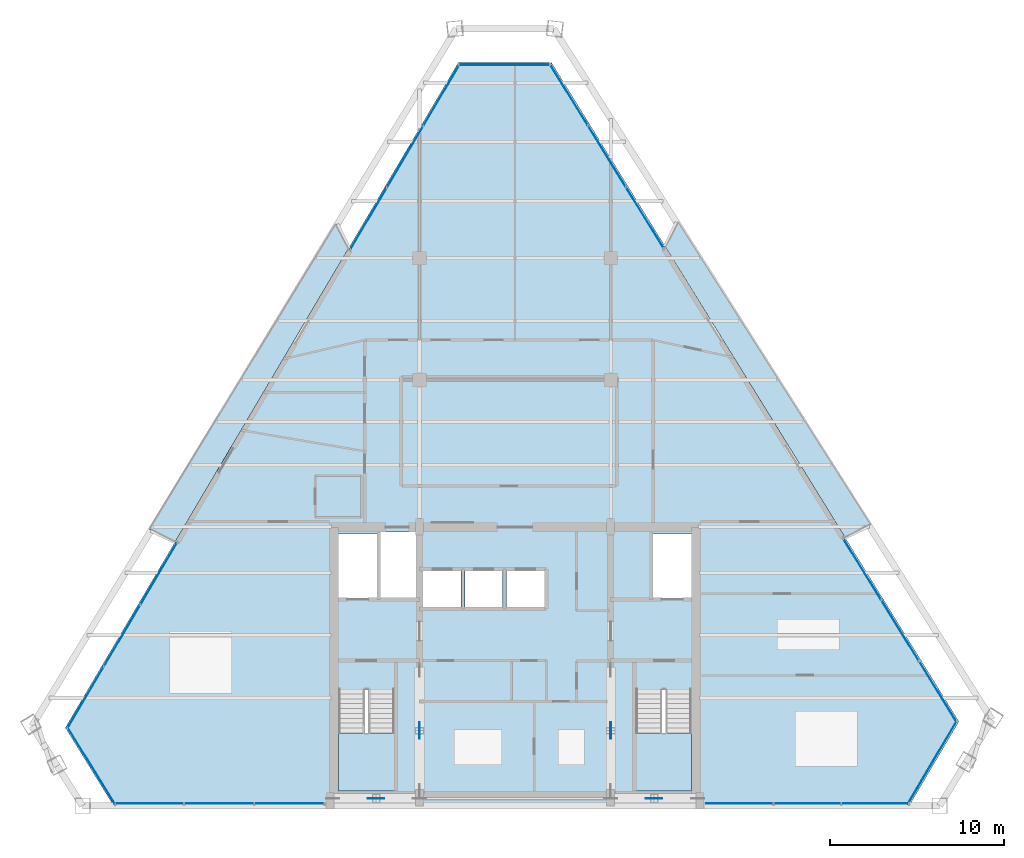
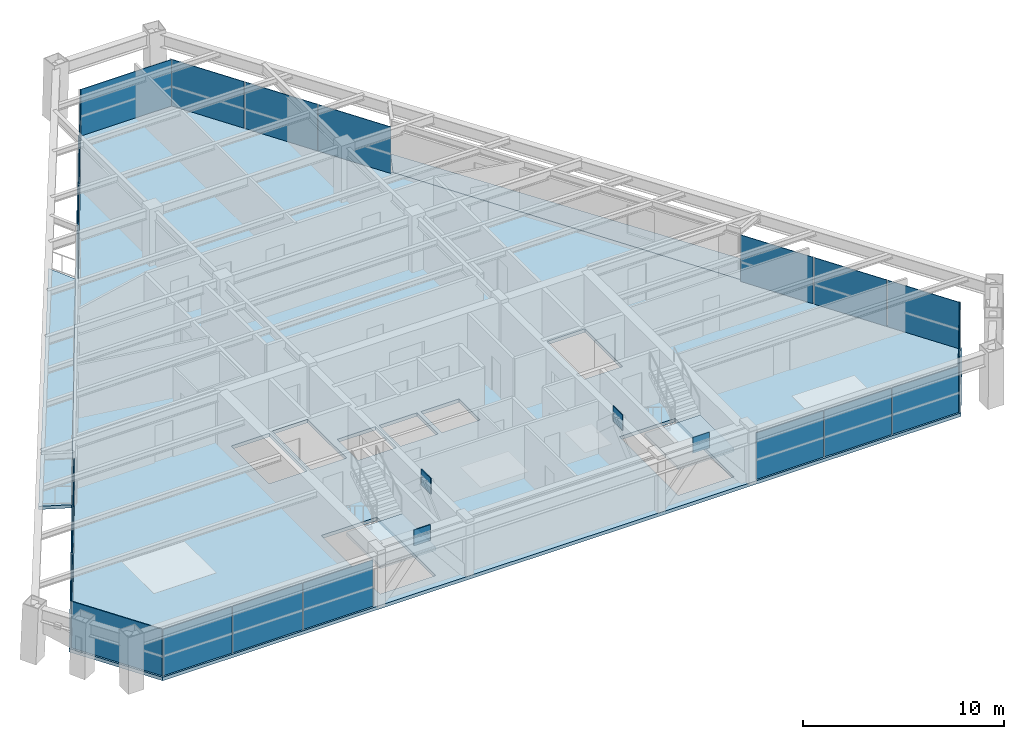
# One storey, part 8 of 13: 25 plates, 5 slabs, 11 elements without a shape of their own.
"""IFC4 building model written with IfcOpenShell, lengths in metres."""

from ifc_helpers import new_model, si_unit, direction, frame, origin, origin_2d, place, context, subcontext, project, spatial, polyline, rectangle, outline, extrude, source, transform, mapped, material, layer, layer_set, type_object, element, aggregate, save


model = new_model("IFC4")

# Units and contexts
model_context = context("Model", 3, precision=1e-05, world=origin(), true_north=direction((0.0, 1.0)))
body_context = subcontext(model_context, "Body", "Model", "MODEL_VIEW")
ifc_project = project(units=[si_unit("LENGTHUNIT", "METRE"), si_unit("AREAUNIT", "SQUARE_METRE"), si_unit("VOLUMEUNIT", "CUBIC_METRE"), si_unit("PLANEANGLEUNIT", "RADIAN"), si_unit("MASSUNIT", "GRAM", prefix="KILO")], contexts=[model_context])

# Site, building, storey
site_placement = place(None, origin())
site = spatial("IfcSite", under=ifc_project, at=site_placement, CompositionType="ELEMENT")
building_placement = place(site_placement, origin())
building = spatial("IfcBuilding", under=site, at=building_placement, Name="Varnakhor Terracotta Tower", CompositionType="ELEMENT")
storey_placement = place(building_placement, frame((0.0, 0.0, 237.25)))
storey = spatial("IfcBuildingStorey", under=building, at=storey_placement, Name="L61", CompositionType="ELEMENT", Elevation=237.25)

# Slab
ifc_material_1 = material(Name="Concrete C40/50", Category="concrete")
ifc_layer_1 = layer(ifc_material_1, 0.2099609375, Name="Concrete C40/50")
ifc_layer_set_1 = layer_set([ifc_layer_1], Name="Concrete C40/50")
slab_type_1 = type_object("IfcSlabType", Name="SLB-HTL-210", PredefinedType="FLOOR", material=ifc_layer_set_1)
slab_1_placement = place(storey_placement, frame((0.0, 0.0, -0.2099609375)))
element("IfcSlab", 1, at=slab_1_placement, inside=storey, type_object=slab_type_1, Name="L61 Structural Floor Slab", PredefinedType="FLOOR", context=body_context, shape_type="SweptSolid", body=[
    extrude(outline(polyline([(-25.882080078125, 4.4931640625), (-3.269775390625, 42.76318359375), (2.099609375, 42.76318359375), (25.543212890625, 4.8427734375), (22.681640625, 0.0), (-23.1044921875, 0.0), (-25.882080078125, 4.4931640625)]), holes=[polyline([(-6.949951171875, 0.85009765625), (-6.949951171875, 6.695068359375), (-10.14990234375, 6.695068359375), (-10.14990234375, 0.85009765625), (-6.949951171875, 0.85009765625)]), polyline([(10.14990234375, 0.85009765625), (10.14990234375, 6.695068359375), (6.949951171875, 6.695068359375), (6.949951171875, 0.85009765625), (10.14990234375, 0.85009765625)]), polyline([(-3.10009765625, 11.419921875), (-3.10009765625, 13.52001953125), (-5.300048828125, 13.52001953125), (-5.300048828125, 11.419921875), (-3.10009765625, 11.419921875)]), polyline([(-0.719970703125, 11.419921875), (-0.719970703125, 13.52001953125), (-2.8798828125, 13.52001953125), (-2.8798828125, 11.419921875), (-0.719970703125, 11.419921875)]), polyline([(1.699951171875, 11.419921875), (1.699951171875, 13.52001953125), (-0.5, 13.52001953125), (-0.5, 11.419921875), (1.699951171875, 11.419921875)]), polyline([(-7.949951171875, 11.8798828125), (-7.949951171875, 15.64990234375), (-10.14990234375, 15.64990234375), (-10.14990234375, 11.8798828125), (-7.949951171875, 11.8798828125)]), polyline([(10.14990234375, 11.8798828125), (10.14990234375, 15.64990234375), (7.949951171875, 15.64990234375), (7.949951171875, 11.8798828125), (10.14990234375, 11.8798828125)]), polyline([(-5.699951171875, 11.8798828125), (-5.699951171875, 15.75), (-7.72998046875, 15.75), (-7.72998046875, 11.8798828125), (-5.699951171875, 11.8798828125)])]), origin(), (0.0, 0.0, 1.0), 0.2099609375),
])

# Stair, slab
stair_type = type_object("IfcStairType", Name="STR-CORE-HOTEL-1500", PredefinedType="HALF_TURN_STAIR", material=ifc_material_1)
stair_1_placement = place(storey_placement, origin())
stair_1 = element("IfcStair", 2, at=stair_1_placement, inside=storey, type_object=stair_type, Name="L61 Core Exit Stair ST-1", PredefinedType="HALF_TURN_STAIR")
ifc_layer_2 = layer(ifc_material_1, 0.179931640625, Name="Concrete C40/50")
ifc_layer_set_2 = layer_set([ifc_layer_2], Name="Concrete C40/50")
slab_type_2 = type_object("IfcSlabType", Name="SLB-LANDING-180", PredefinedType="LANDING", material=ifc_layer_set_2)
slab_2_placement = place(storey_placement, frame((0.0, 0.0, 1.52490234375)))
slab_2 = element("IfcSlab", 3, at=slab_2_placement, type_object=slab_type_2, Name="ST-1 landing 1", PredefinedType="LANDING", context=body_context, shape_type="SweptSolid", body=[
    extrude(outline(polyline([(-10.14990234375, 4.18994140625), (-10.14990234375, 0.85009765625), (-6.949951171875, 0.85009765625), (-6.949951171875, 4.18994140625), (-10.14990234375, 4.18994140625)])), origin(), (0.0, 0.0, 1.0), 0.2001953125),
])
aggregate(stair_1, [slab_2])

stair_2_placement = place(storey_placement, origin())
stair_2 = element("IfcStair", 4, at=stair_2_placement, inside=storey, type_object=stair_type, Name="L61 Core Exit Stair ST-2", PredefinedType="HALF_TURN_STAIR")
slab_3_placement = place(storey_placement, frame((0.0, 0.0, 1.52490234375)))
slab_3 = element("IfcSlab", 5, at=slab_3_placement, type_object=slab_type_2, Name="ST-2 landing 1", PredefinedType="LANDING", context=body_context, shape_type="SweptSolid", body=[
    extrude(outline(polyline([(6.949951171875, 4.18994140625), (6.949951171875, 0.85009765625), (10.14990234375, 0.85009765625), (10.14990234375, 4.18994140625), (6.949951171875, 4.18994140625)])), origin(), (0.0, 0.0, 1.0), 0.2001953125),
])
aggregate(stair_2, [slab_3])

# Slabs
ifc_layer_3 = layer(ifc_material_1, 0.195068359375, Name="Concrete C40/50")
ifc_layer_set_3 = layer_set([ifc_layer_3], Name="Concrete C40/50")
slab_type_3 = type_object("IfcSlabType", Name="SLB-LOGGIA-EXT-195", PredefinedType="FLOOR", material=ifc_layer_set_3)
slab_4_placement = place(storey_placement, frame((0.0, 0.0, -0.195068359375)))
element("IfcSlab", 6, at=slab_4_placement, inside=storey, type_object=slab_type_3, Name="L61 E Recessed Outdoor Loggia Slab", PredefinedType="FLOOR", context=body_context, shape_type="SweptSolid", body=[
    extrude(outline(polyline([(9.365478515625, 33.609619140625), (20.458251953125, 16.16455078125), (18.97900390625, 15.46044921875), (8.663818359375, 32.1455078125), (9.365478515625, 33.609619140625)])), origin(), (0.0, 0.0, 1.0), 0.195068359375),
])
slab_5_placement = place(storey_placement, frame((0.0, 0.0, -0.195068359375)))
element("IfcSlab", 7, at=slab_5_placement, inside=storey, type_object=slab_type_3, Name="L61 W Recessed Outdoor Loggia Slab", PredefinedType="FLOOR", context=body_context, shape_type="SweptSolid", body=[
    extrude(outline(polyline([(-21.0419921875, 15.9013671875), (-10.3076171875, 33.507080078125), (-9.601318359375, 32.047607421875), (-15.89501953125, 21.3955078125), (-19.55078125, 15.208740234375), (-21.0419921875, 15.9013671875)])), origin(), (0.0, 0.0, 1.0), 0.195068359375),
])

# Plates
ifc_material_2 = material(Name="Steel S460", Category="steel")
ifc_layer_4 = layer(ifc_material_2, 0.050048828125, Name="Steel S460")
ifc_layer_set_4 = layer_set([ifc_layer_4], Name="Steel S460")
plate_type_1 = type_object("IfcPlateType", Name="PLT-GUSSET-50", PredefinedType="USERDEFINED", material=ifc_layer_set_4)
shared_shape_1 = source(origin(), body_context, "Body", "SweptSolid", [
    extrude(rectangle(XDim=0.949951171875, YDim=0.044921875, at=origin_2d()), origin(), (0.0, 0.0, 1.0), 0.949951171875),
])
for number, where, z_axis, x_axis, name in (
    (8, (-8.0, 0.419921875, 2.615234375), (0.0, 0.0, 1.0), (1.0, 0.0, 0.0), "L61 Core Brace Apex Gusset CSW"),
    (9, (8.0, 0.419921875, 2.615234375), (0.0, 0.0, 1.0), (1.0, 0.0, 0.0), "L61 Core Brace Apex Gusset CSE"),
    (10, (-5.5, 4.324951171875, 2.615234375), (0.0, 0.0, 1.0), (0.0, 1.0, 0.0), "L61 Core Brace Apex Gusset CWW"),
    (11, (5.5, 4.324951171875, 2.615234375), (0.0, 0.0, 1.0), (0.0, 1.0, 0.0), "L61 Core Brace Apex Gusset CWE"),
):
    element("IfcPlate", number, at=place(storey_placement, frame(where, z_axis=z_axis, x_axis=x_axis)), inside=storey, type_object=plate_type_1, Name=name, ObjectType="GUSSET PLATE", PredefinedType="USERDEFINED", context=body_context, shape_type="MappedRepresentation", body=[
        mapped(shared_shape_1, transform((0.0, 0.0, 0.0), scale=1.0)),
    ])

# Curtain wall, plate
ifc_material_3 = material(Name="Anodised Aluminium Curtain Wall System", Category="aluminium")
curtain_wall_type = type_object("IfcCurtainWallType", Name="CW-SYS-HOTEL-LOGGIA", PredefinedType="NOTDEFINED", material=ifc_material_3)
curtain_wall_1_placement = place(storey_placement, origin())
curtain_wall_1 = element("IfcCurtainWall", 12, at=curtain_wall_1_placement, inside=storey, type_object=curtain_wall_type, Name="L61 W Facet Curtain Wall 1", PredefinedType="NOTDEFINED")
ifc_material_4 = material(Name="Solar-Control Low-E Insulated Glass Panel", Category="glass")
ifc_layer_5 = layer(ifc_material_4, 0.033935546875, Name="Solar-Control Low-E Insulated Glass Panel")
ifc_layer_set_5 = layer_set([ifc_layer_5], Name="Solar-Control Low-E Insulated Glass Panel")
plate_type_2 = type_object("IfcPlateType", Name="CWP-04", PredefinedType="CURTAIN_PANEL", material=ifc_layer_set_5)
shared_shape_2 = source(origin(), body_context, "Body", "SweptSolid", [
    extrude(rectangle(XDim=4.088623046875, YDim=0.035888671875, at=origin_2d()), origin(), (0.0, 0.0, 1.0), 2.820068359375),
])
plate_1_placement = place(storey_placement, frame((-24.71337890625, 6.235107421875, 0.0), z_axis=(0.0, 0.0, 1.0), x_axis=(0.508695850751, 0.860946299968, 0.0)))
plate_1 = element("IfcPlate", 13, at=plate_1_placement, type_object=plate_type_2, Name="L61 W Facet Curtain Wall 1 Glazed Panel 1", PredefinedType="CURTAIN_PANEL", context=body_context, shape_type="MappedRepresentation", body=[
    mapped(shared_shape_2, transform((0.0, 0.0, 0.0), scale=1.0)),
])

curtain_wall_2_placement = place(storey_placement, origin())
curtain_wall_2 = element("IfcCurtainWall", 14, at=curtain_wall_2_placement, inside=storey, type_object=curtain_wall_type, Name="L61 W Facet Curtain Wall 2", PredefinedType="NOTDEFINED")
plate_2_placement = place(storey_placement, frame((-8.432373046875, 33.78955078125, 0.0), z_axis=(0.0, 0.0, 1.0), x_axis=(0.508695850751, 0.860946299968, 0.0)))
plate_2 = element("IfcPlate", 15, at=plate_2_placement, type_object=plate_type_2, Name="L61 W Facet Curtain Wall 2 Glazed Panel 1", PredefinedType="CURTAIN_PANEL", context=body_context, shape_type="MappedRepresentation", body=[
    mapped(shared_shape_2, transform((0.0, 0.0, 0.0), scale=1.0)),
])

# Plate
shared_shape_3 = source(origin(), body_context, "Body", "SweptSolid", [
    extrude(rectangle(XDim=4.0888671875, YDim=0.035888671875, at=origin_2d()), origin(), (0.0, 0.0, 1.0), 2.820068359375),
])
plate_3_placement = place(storey_placement, frame((-22.613037109375, 9.789794921875, 0.0), z_axis=(0.0, 0.0, 1.0), x_axis=(0.508695850751, 0.860946299968, 0.0)))
plate_3 = element("IfcPlate", 16, at=plate_3_placement, type_object=plate_type_2, Name="L61 W Facet Curtain Wall 1 Glazed Panel 2", PredefinedType="CURTAIN_PANEL", context=body_context, shape_type="MappedRepresentation", body=[
    mapped(shared_shape_3, transform((0.0, 0.0, 0.0), scale=1.0)),
])

plate_4_placement = place(storey_placement, frame((-20.5126953125, 13.344482421875, 0.0), z_axis=(0.0, 0.0, 1.0), x_axis=(0.508695850751, 0.860946299968, 0.0)))
plate_4 = element("IfcPlate", 17, at=plate_4_placement, type_object=plate_type_2, Name="L61 W Facet Curtain Wall 1 Glazed Panel 3", PredefinedType="CURTAIN_PANEL", context=body_context, shape_type="MappedRepresentation", body=[
    mapped(shared_shape_3, transform((0.0, 0.0, 0.0), scale=1.0)),
])

aggregate(curtain_wall_1, [plate_1, plate_3, plate_4])

plate_5_placement = place(storey_placement, frame((-6.332275390625, 37.34423828125, 0.0), z_axis=(0.0, 0.0, 1.0), x_axis=(0.508695850751, 0.860946299968, 0.0)))
plate_5 = element("IfcPlate", 18, at=plate_5_placement, type_object=plate_type_2, Name="L61 W Facet Curtain Wall 2 Glazed Panel 2", PredefinedType="CURTAIN_PANEL", context=body_context, shape_type="MappedRepresentation", body=[
    mapped(shared_shape_3, transform((0.0, 0.0, 0.0), scale=1.0)),
])

plate_6_placement = place(storey_placement, frame((-4.231689453125, 40.89892578125, 0.0), z_axis=(0.0, 0.0, 1.0), x_axis=(0.508695850751, 0.860946299968, 0.0)))
plate_6 = element("IfcPlate", 19, at=plate_6_placement, type_object=plate_type_2, Name="L61 W Facet Curtain Wall 2 Glazed Panel 3", PredefinedType="CURTAIN_PANEL", context=body_context, shape_type="MappedRepresentation", body=[
    mapped(shared_shape_3, transform((0.0, 0.0, 0.0), scale=1.0)),
])

aggregate(curtain_wall_2, [plate_2, plate_5, plate_6])

# Curtain wall, plate
curtain_wall_3_placement = place(storey_placement, origin())
curtain_wall_3 = element("IfcCurtainWall", 20, at=curtain_wall_3_placement, inside=storey, type_object=curtain_wall_type, Name="L61 Facet Curtain Wall 2", PredefinedType="NOTDEFINED")
shared_shape_4 = source(origin(), body_context, "Body", "SweptSolid", [
    extrude(rectangle(XDim=5.269287109375, YDim=0.035888671875, at=origin_2d()), origin(), (0.0, 0.0, 1.0), 2.820068359375),
])
plate_7_placement = place(storey_placement, frame((-0.585205078125, 42.64306640625, 0.0), z_axis=(0.0, 0.0, 1.0), x_axis=(1.0, 0.0, 0.0)))
plate_7 = element("IfcPlate", 21, at=plate_7_placement, type_object=plate_type_2, Name="L61 Facet Curtain Wall 2 Glazed Panel 1", PredefinedType="CURTAIN_PANEL", context=body_context, shape_type="MappedRepresentation", body=[
    mapped(shared_shape_4, transform((0.0, 0.0, 0.0), scale=1.0)),
])
aggregate(curtain_wall_3, [plate_7])

# Curtain wall, plates
curtain_wall_4_placement = place(storey_placement, origin())
curtain_wall_4 = element("IfcCurtainWall", 22, at=curtain_wall_4_placement, inside=storey, type_object=curtain_wall_type, Name="L61 E Facet Curtain Wall 1", PredefinedType="NOTDEFINED")
shared_shape_5 = source(origin(), body_context, "Body", "SweptSolid", [
    extrude(rectangle(XDim=4.10107421875, YDim=0.035888671875, at=origin_2d()), origin(), (0.0, 0.0, 1.0), 2.820068359375),
])
plate_8_placement = place(storey_placement, frame((3.10205078125, 40.913330078125, 0.0), z_axis=(0.0, 0.0, 1.0), x_axis=(0.525857682791, -0.850572570361, 0.0)))
plate_8 = element("IfcPlate", 23, at=plate_8_placement, type_object=plate_type_2, Name="L61 E Facet Curtain Wall 1 Glazed Panel 1", PredefinedType="CURTAIN_PANEL", context=body_context, shape_type="MappedRepresentation", body=[
    mapped(shared_shape_5, transform((0.0, 0.0, 0.0), scale=1.0)),
])
plate_9_placement = place(storey_placement, frame((5.279541015625, 37.39111328125, 0.0), z_axis=(0.0, 0.0, 1.0), x_axis=(0.525857682791, -0.850572570361, 0.0)))
plate_9 = element("IfcPlate", 24, at=plate_9_placement, type_object=plate_type_2, Name="L61 E Facet Curtain Wall 1 Glazed Panel 2", PredefinedType="CURTAIN_PANEL", context=body_context, shape_type="MappedRepresentation", body=[
    mapped(shared_shape_5, transform((0.0, 0.0, 0.0), scale=1.0)),
])
plate_10_placement = place(storey_placement, frame((7.45703125, 33.868896484375, 0.0), z_axis=(0.0, 0.0, 1.0), x_axis=(0.525857682791, -0.850572570361, 0.0)))
plate_10 = element("IfcPlate", 25, at=plate_10_placement, type_object=plate_type_2, Name="L61 E Facet Curtain Wall 1 Glazed Panel 3", PredefinedType="CURTAIN_PANEL", context=body_context, shape_type="MappedRepresentation", body=[
    mapped(shared_shape_5, transform((0.0, 0.0, 0.0), scale=1.0)),
])
aggregate(curtain_wall_4, [plate_8, plate_9, plate_10])

curtain_wall_5_placement = place(storey_placement, origin())
curtain_wall_5 = element("IfcCurtainWall", 26, at=curtain_wall_5_placement, inside=storey, type_object=curtain_wall_type, Name="L61 E Facet Curtain Wall 2", PredefinedType="NOTDEFINED")
plate_11_placement = place(storey_placement, frame((19.9814453125, 13.610595703125, 0.0), z_axis=(0.0, 0.0, 1.0), x_axis=(0.525857682791, -0.850572570361, 0.0)))
plate_11 = element("IfcPlate", 27, at=plate_11_placement, type_object=plate_type_2, Name="L61 E Facet Curtain Wall 2 Glazed Panel 1", PredefinedType="CURTAIN_PANEL", context=body_context, shape_type="MappedRepresentation", body=[
    mapped(shared_shape_5, transform((0.0, 0.0, 0.0), scale=1.0)),
])
plate_12_placement = place(storey_placement, frame((22.158935546875, 10.08837890625, 0.0), z_axis=(0.0, 0.0, 1.0), x_axis=(0.525857682791, -0.850572570361, 0.0)))
plate_12 = element("IfcPlate", 28, at=plate_12_placement, type_object=plate_type_2, Name="L61 E Facet Curtain Wall 2 Glazed Panel 2", PredefinedType="CURTAIN_PANEL", context=body_context, shape_type="MappedRepresentation", body=[
    mapped(shared_shape_5, transform((0.0, 0.0, 0.0), scale=1.0)),
])
plate_13_placement = place(storey_placement, frame((24.33642578125, 6.566162109375, 0.0), z_axis=(0.0, 0.0, 1.0), x_axis=(0.525857682791, -0.850572570361, 0.0)))
plate_13 = element("IfcPlate", 29, at=plate_13_placement, type_object=plate_type_2, Name="L61 E Facet Curtain Wall 2 Glazed Panel 3", PredefinedType="CURTAIN_PANEL", context=body_context, shape_type="MappedRepresentation", body=[
    mapped(shared_shape_5, transform((0.0, 0.0, 0.0), scale=1.0)),
])
aggregate(curtain_wall_5, [plate_11, plate_12, plate_13])

# Curtain wall, plate
curtain_wall_6_placement = place(storey_placement, origin())
curtain_wall_6 = element("IfcCurtainWall", 30, at=curtain_wall_6_placement, inside=storey, type_object=curtain_wall_type, Name="L61 Facet Curtain Wall 4", PredefinedType="NOTDEFINED")
shared_shape_6 = source(origin(), body_context, "Body", "SweptSolid", [
    extrude(rectangle(XDim=5.52490234375, YDim=0.035888671875, at=origin_2d()), origin(), (0.0, 0.0, 1.0), 2.820068359375),
])
plate_14_placement = place(storey_placement, frame((24.009033203125, 2.482421875, 0.0), z_axis=(0.0, 0.0, 1.0), x_axis=(-0.508710877021, -0.86093742142, 0.0)))
plate_14 = element("IfcPlate", 31, at=plate_14_placement, type_object=plate_type_2, Name="L61 Facet Curtain Wall 4 Glazed Panel 1", PredefinedType="CURTAIN_PANEL", context=body_context, shape_type="MappedRepresentation", body=[
    mapped(shared_shape_6, transform((0.0, 0.0, 0.0), scale=1.0)),
])
aggregate(curtain_wall_6, [plate_14])

# Curtain wall, plates
curtain_wall_7_placement = place(storey_placement, origin())
curtain_wall_7 = element("IfcCurtainWall", 32, at=curtain_wall_7_placement, inside=storey, type_object=curtain_wall_type, Name="L61 South Wing Curtain Wall SSE", PredefinedType="NOTDEFINED")
shared_shape_7 = source(origin(), body_context, "Body", "SweptSolid", [
    extrude(rectangle(XDim=3.860595703125, YDim=0.035888671875, at=origin_2d()), origin(), (0.0, 0.0, 1.0), 2.820068359375),
])
plate_15_placement = place(storey_placement, frame((20.721435546875, 0.1201171875, 0.0), z_axis=(0.0, 0.0, 1.0), x_axis=(-1.0, 0.0, 0.0)))
plate_15 = element("IfcPlate", 33, at=plate_15_placement, type_object=plate_type_2, Name="L61 South Wing Curtain Wall SSE Glazed Panel 1", PredefinedType="CURTAIN_PANEL", context=body_context, shape_type="MappedRepresentation", body=[
    mapped(shared_shape_7, transform((0.0, 0.0, 0.0), scale=1.0)),
])
plate_16_placement = place(storey_placement, frame((16.82080078125, 0.1201171875, 0.0), z_axis=(0.0, 0.0, 1.0), x_axis=(-1.0, 0.0, 0.0)))
plate_16 = element("IfcPlate", 34, at=plate_16_placement, type_object=plate_type_2, Name="L61 South Wing Curtain Wall SSE Glazed Panel 2", PredefinedType="CURTAIN_PANEL", context=body_context, shape_type="MappedRepresentation", body=[
    mapped(shared_shape_7, transform((0.0, 0.0, 0.0), scale=1.0)),
])
plate_17_placement = place(storey_placement, frame((12.92041015625, 0.1201171875, 0.0), z_axis=(0.0, 0.0, 1.0), x_axis=(-1.0, 0.0, 0.0)))
plate_17 = element("IfcPlate", 35, at=plate_17_placement, type_object=plate_type_2, Name="L61 South Wing Curtain Wall SSE Glazed Panel 3", PredefinedType="CURTAIN_PANEL", context=body_context, shape_type="MappedRepresentation", body=[
    mapped(shared_shape_7, transform((0.0, 0.0, 0.0), scale=1.0)),
])
aggregate(curtain_wall_7, [plate_15, plate_16, plate_17])

curtain_wall_8_placement = place(storey_placement, origin())
curtain_wall_8 = element("IfcCurtainWall", 36, at=curtain_wall_8_placement, inside=storey, type_object=curtain_wall_type, Name="L61 South Wing Curtain Wall SSW", PredefinedType="NOTDEFINED")
shared_shape_8 = source(origin(), body_context, "Body", "SweptSolid", [
    extrude(rectangle(XDim=4.00146484375, YDim=0.035888671875, at=origin_2d()), origin(), (0.0, 0.0, 1.0), 2.820068359375),
])
plate_18_placement = place(storey_placement, frame((-12.99072265625, 0.1201171875, 0.0), z_axis=(0.0, 0.0, 1.0), x_axis=(-1.0, 0.0, 0.0)))
plate_18 = element("IfcPlate", 37, at=plate_18_placement, type_object=plate_type_2, Name="L61 South Wing Curtain Wall SSW Glazed Panel 1", PredefinedType="CURTAIN_PANEL", context=body_context, shape_type="MappedRepresentation", body=[
    mapped(shared_shape_8, transform((0.0, 0.0, 0.0), scale=1.0)),
])
plate_19_placement = place(storey_placement, frame((-17.0322265625, 0.1201171875, 0.0), z_axis=(0.0, 0.0, 1.0), x_axis=(-1.0, 0.0, 0.0)))
plate_19 = element("IfcPlate", 38, at=plate_19_placement, type_object=plate_type_2, Name="L61 South Wing Curtain Wall SSW Glazed Panel 2", PredefinedType="CURTAIN_PANEL", context=body_context, shape_type="MappedRepresentation", body=[
    mapped(shared_shape_8, transform((0.0, 0.0, 0.0), scale=1.0)),
])
plate_20_placement = place(storey_placement, frame((-21.07373046875, 0.1201171875, 0.0), z_axis=(0.0, 0.0, 1.0), x_axis=(-1.0, 0.0, 0.0)))
plate_20 = element("IfcPlate", 39, at=plate_20_placement, type_object=plate_type_2, Name="L61 South Wing Curtain Wall SSW Glazed Panel 3", PredefinedType="CURTAIN_PANEL", context=body_context, shape_type="MappedRepresentation", body=[
    mapped(shared_shape_8, transform((0.0, 0.0, 0.0), scale=1.0)),
])
aggregate(curtain_wall_8, [plate_18, plate_19, plate_20])

# Curtain wall, plate
curtain_wall_9_placement = place(storey_placement, origin())
curtain_wall_9 = element("IfcCurtainWall", 40, at=curtain_wall_9_placement, inside=storey, type_object=curtain_wall_type, Name="L61 Facet Curtain Wall 6", PredefinedType="NOTDEFINED")
shared_shape_9 = source(origin(), body_context, "Body", "SweptSolid", [
    extrude(rectangle(XDim=5.1826171875, YDim=0.035888671875, at=origin_2d()), origin(), (0.0, 0.0, 1.0), 2.820068359375),
])
plate_21_placement = place(storey_placement, frame((-24.39111328125, 2.3095703125, 0.0), z_axis=(0.0, 0.0, 1.0), x_axis=(-0.525857682791, 0.850572570361, 0.0)))
plate_21 = element("IfcPlate", 41, at=plate_21_placement, type_object=plate_type_2, Name="L61 Facet Curtain Wall 6 Glazed Panel 1", PredefinedType="CURTAIN_PANEL", context=body_context, shape_type="MappedRepresentation", body=[
    mapped(shared_shape_9, transform((0.0, 0.0, 0.0), scale=1.0)),
])
aggregate(curtain_wall_9, [plate_21])

save(model, "model.ifc")
